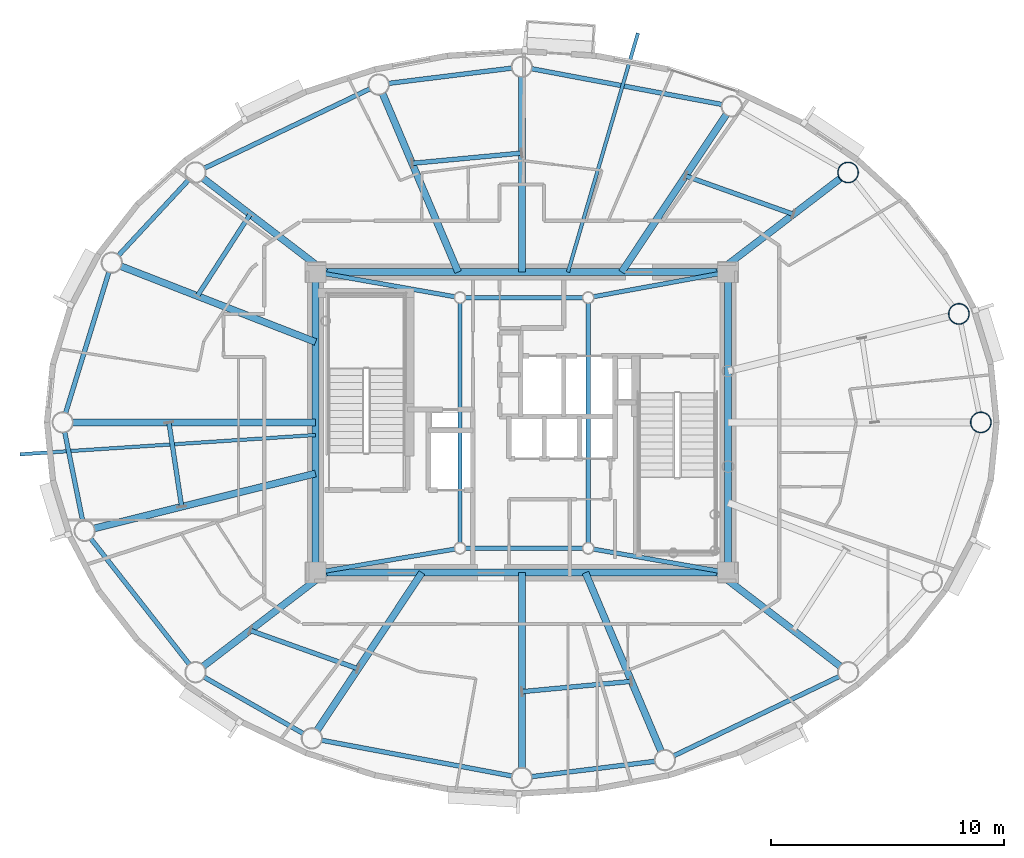
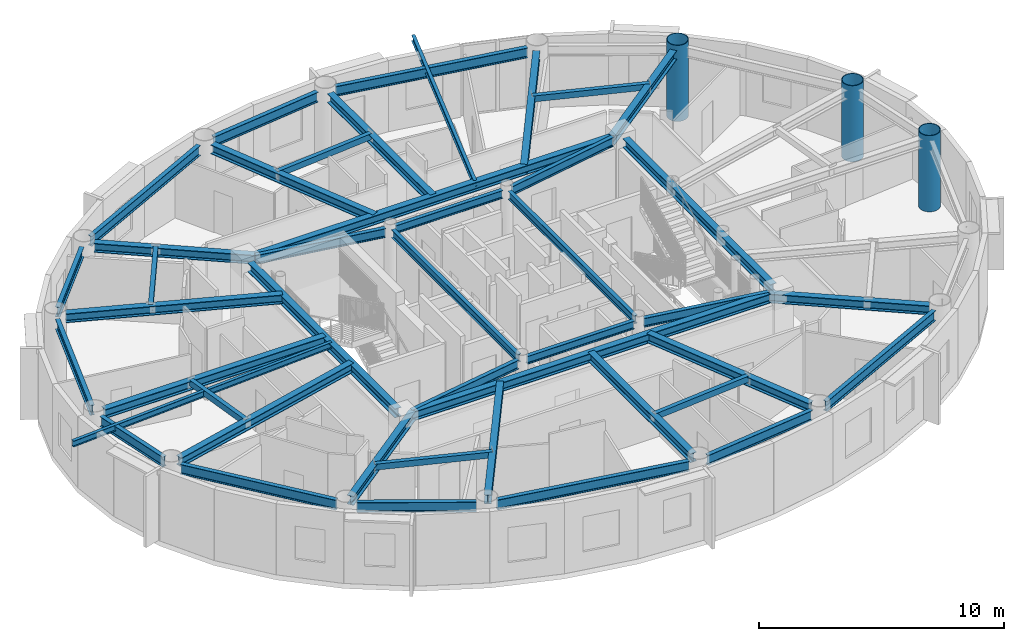
# One storey, part 2 of 17: 44 beams, 3 columns.
"""IFC4 building model written with IfcOpenShell, lengths in metres."""

from ifc_helpers import new_model, si_unit, direction, frame, origin, origin_2d, place, context, subcontext, project, spatial, hollow_rectangle, hollow_circle, i_section, extrude, material, material_profile, profile_set, type_object, element, save


model = new_model("IFC4")

# Units and contexts
model_context = context("Model", 3, precision=1e-05, world=origin(), true_north=direction((0.0, 1.0)))
body_context = subcontext(model_context, "Body", "Model", "MODEL_VIEW")
ifc_project = project(units=[si_unit("LENGTHUNIT", "METRE"), si_unit("AREAUNIT", "SQUARE_METRE"), si_unit("VOLUMEUNIT", "CUBIC_METRE"), si_unit("PLANEANGLEUNIT", "RADIAN"), si_unit("MASSUNIT", "GRAM", prefix="KILO")], contexts=[model_context])

# Site, building, storey
site_placement = place(None, origin())
site = spatial("IfcSite", under=ifc_project, at=site_placement, CompositionType="ELEMENT")
building_placement = place(site_placement, origin())
building = spatial("IfcBuilding", under=site, at=building_placement, Name="Linh Dai School and Residence Tower", CompositionType="ELEMENT")
storey_placement = place(building_placement, frame((0.0, 0.0, 331.60009765625)))
storey = spatial("IfcBuildingStorey", under=building, at=storey_placement, Name="L82", CompositionType="ELEMENT", Elevation=331.60009765625)

# Columns
ifc_material = material(Name="Structural Steel S355JR", Category="steel")
ifc_material_profile_1 = material_profile(ifc_material, hollow_circle(Radius=0.449951171875, WallThickness=0.028076171875, at=origin_2d()), Name="CHS 900x28")
ifc_profile_set_1 = profile_set([ifc_material_profile_1], Name="Structural Steel S355JR")
column_type = type_object("IfcColumnType", Name="COL-MC7", PredefinedType="COLUMN", material=ifc_profile_set_1)
for number, where, z_axis, x_axis, name in (
    (1, (55.699951171875, 27.0, 0.0), (0.0, 0.0, 1.0), (1.0, 0.0, 0.0), "L82 Perimeter CFT Mega-Column MC01"),
    (2, (54.7578125, 31.65478515625, 0.0), (0.0, 0.0, 1.0), (1.0, 0.0, 0.0), "L82 Perimeter CFT Mega-Column MC02"),
    (3, (50.00244140625, 37.72265625, 0.0), (0.0, 0.0, 1.0), (1.0, 0.0, 0.0), "L82 Perimeter CFT Mega-Column MC03"),
):
    element("IfcColumn", number, at=place(storey_placement, frame(where, z_axis=z_axis, x_axis=x_axis)), inside=storey, type_object=column_type, Name=name, PredefinedType="COLUMN", context=body_context, shape_type="SweptSolid", body=[
        extrude(hollow_circle(Radius=0.449951171875, WallThickness=0.028076171875, at=origin_2d()), origin(), (0.0, 0.0, 1.0), 3.7998046875),
    ])

# Beams
ifc_material_profile_2 = material_profile(ifc_material, i_section(OverallWidth=0.14990234375, OverallDepth=0.300048828125, WebThickness=0.007080078125, FlangeThickness=0.0107421875, at=origin_2d()), Name="IPE 300")
ifc_profile_set_2 = profile_set([ifc_material_profile_2], Name="Structural Steel S355JR")
beam_type_1 = type_object("IfcBeamType", Name="BM-BALC-CANT", PredefinedType="BEAM", material=ifc_profile_set_2)
beam_1_placement = place(storey_placement, frame((37.9833984375, 33.449951171875, 3.39990234375), z_axis=(0.280953682983, 0.959721328313, 0.0), x_axis=(-0.959721328313, 0.280953682983, 0.0)))
element("IfcBeam", 4, at=beam_1_placement, inside=storey, type_object=beam_type_1, Name="L83 Balcony Continuous Cantilever Beam 09", PredefinedType="BEAM", context=body_context, shape_type="SweptSolid", body=[
    extrude(i_section(OverallWidth=0.14990234375, OverallDepth=0.300048828125, WebThickness=0.007080078125, FlangeThickness=0.0107421875, at=origin_2d()), origin(), (0.0, 0.0, 1.0), 10.68408203125),
])
beam_2_placement = place(storey_placement, frame((27.14990234375, 26.45654296875, 3.39990234375), z_axis=(-0.997872367571, -0.065197684296, 0.0), x_axis=(0.065197684296, -0.997872367571, 0.0)))
element("IfcBeam", 5, at=beam_2_placement, inside=storey, type_object=beam_type_1, Name="L83 Balcony Continuous Cantilever Beam 21", PredefinedType="BEAM", context=body_context, shape_type="SweptSolid", body=[
    extrude(i_section(OverallWidth=0.14990234375, OverallDepth=0.300048828125, WebThickness=0.007080078125, FlangeThickness=0.0107421875, at=origin_2d()), origin(), (0.0, 0.0, 1.0), 12.70556640625),
])
ifc_material_profile_3 = material_profile(ifc_material, hollow_rectangle(XDim=0.199951171875, YDim=0.300048828125, WallThickness=0.010009765625, at=origin_2d()), Name="RHS 300x200x10")
ifc_profile_set_3 = profile_set([ifc_material_profile_3], Name="Structural Steel S355JR")
beam_type_2 = type_object("IfcBeamType", Name="BM-BX3", PredefinedType="BEAM", material=ifc_profile_set_3)
beam_3_placement = place(storey_placement, frame((47.654296875, 35.929931640625, 3.39990234375), z_axis=(-0.942259700993, 0.334883048069, 0.0), x_axis=(-0.334883048069, -0.942259700993, 0.0)))
element("IfcBeam", 6, at=beam_3_placement, inside=storey, type_object=beam_type_2, Name="L82 Secondary Circumferential Floor Beam 02", PredefinedType="BEAM", context=body_context, shape_type="SweptSolid", body=[
    extrude(hollow_rectangle(XDim=0.199951171875, YDim=0.300048828125, WallThickness=0.010009765625, at=origin_2d()), origin(), (0.0, 0.0, 1.0), 4.9072265625),
])
beam_4_placement = place(storey_placement, frame((35.9951171875, 38.556396484375, 3.39990234375), z_axis=(-0.995632572685, -0.093358343008, 0.0), x_axis=(0.093358343008, -0.995632572685, 0.0)))
element("IfcBeam", 7, at=beam_4_placement, inside=storey, type_object=beam_type_2, Name="L82 Secondary Circumferential Floor Beam 03", PredefinedType="BEAM", context=body_context, shape_type="SweptSolid", body=[
    extrude(hollow_rectangle(XDim=0.199951171875, YDim=0.300048828125, WallThickness=0.010009765625, at=origin_2d()), origin(), (0.0, 0.0, 1.0), 4.717529296875),
])
beam_5_placement = place(storey_placement, frame((24.33837890625, 35.924072265625, 3.39990234375), z_axis=(-0.542324541187, -0.840169085379, 0.0), x_axis=(0.840169085379, -0.542324541187, 0.0)))
element("IfcBeam", 8, at=beam_5_placement, inside=storey, type_object=beam_type_2, Name="L82 Secondary Circumferential Floor Beam 04", PredefinedType="BEAM", context=body_context, shape_type="SweptSolid", body=[
    extrude(hollow_rectangle(XDim=0.199951171875, YDim=0.300048828125, WallThickness=0.010009765625, at=origin_2d()), origin(), (0.0, 0.0, 1.0), 4.163330078125),
])
beam_6_placement = place(storey_placement, frame((20.857666015625, 26.9951171875, 3.39990234375), z_axis=(0.149229268392, -0.988802622092, 0.0), x_axis=(0.988802622092, 0.149229268392, 0.0)))
element("IfcBeam", 9, at=beam_6_placement, inside=storey, type_object=beam_type_2, Name="L82 Secondary Circumferential Floor Beam 05", PredefinedType="BEAM", context=body_context, shape_type="SweptSolid", body=[
    extrude(hollow_rectangle(XDim=0.199951171875, YDim=0.300048828125, WallThickness=0.010009765625, at=origin_2d()), origin(), (0.0, 0.0, 1.0), 3.6533203125),
])
beam_7_placement = place(storey_placement, frame((24.345703125, 18.070068359375, 3.39990234375), z_axis=(0.942259700993, -0.334883048069, 0.0), x_axis=(0.334883048069, 0.942259700993, 0.0)))
element("IfcBeam", 10, at=beam_7_placement, inside=storey, type_object=beam_type_2, Name="L82 Secondary Circumferential Floor Beam 06", PredefinedType="BEAM", context=body_context, shape_type="SweptSolid", body=[
    extrude(hollow_rectangle(XDim=0.199951171875, YDim=0.300048828125, WallThickness=0.010009765625, at=origin_2d()), origin(), (0.0, 0.0, 1.0), 4.9072265625),
])
beam_8_placement = place(storey_placement, frame((36.0048828125, 15.443603515625, 3.39990234375), z_axis=(0.995632572685, 0.093358343008, 0.0), x_axis=(-0.093358343008, 0.995632572685, 0.0)))
element("IfcBeam", 11, at=beam_8_placement, inside=storey, type_object=beam_type_2, Name="L82 Secondary Circumferential Floor Beam 07", PredefinedType="BEAM", context=body_context, shape_type="SweptSolid", body=[
    extrude(hollow_rectangle(XDim=0.199951171875, YDim=0.300048828125, WallThickness=0.010009765625, at=origin_2d()), origin(), (0.0, 0.0, 1.0), 4.717529296875),
])
ifc_material_profile_4 = material_profile(ifc_material, i_section(OverallWidth=0.199951171875, OverallDepth=0.5, WebThickness=0.01025390625, FlangeThickness=0.01611328125, FilletRadius=0.02099609375, at=origin_2d()), Name="IPE 500")
ifc_profile_set_4 = profile_set([ifc_material_profile_4], Name="Structural Steel S355JR")
beam_type_3 = type_object("IfcBeamType", Name="BM-RB50", PredefinedType="BEAM", material=ifc_profile_set_4)
beam_9_placement = place(storey_placement, frame((44.597412109375, 40.6396484375, 3.2998046875), z_axis=(-0.98280175603, 0.184663771066, 0.0), x_axis=(-0.184663771066, -0.98280175603, 0.0)))
element("IfcBeam", 12, at=beam_9_placement, inside=storey, type_object=beam_type_3, Name="L82 Perimeter Elliptical Ring Beam 04", PredefinedType="BEAM", context=body_context, shape_type="SweptSolid", body=[
    extrude(i_section(OverallWidth=0.199951171875, OverallDepth=0.5, WebThickness=0.01025390625, FlangeThickness=0.01611328125, FilletRadius=0.02099609375, at=origin_2d()), origin(), (0.0, 0.0, 1.0), 8.327880859375),
])
beam_10_placement = place(storey_placement, frame((35.583251953125, 42.203369140625, 3.2998046875), z_axis=(-0.992398979221, -0.123062041428, 0.0), x_axis=(0.123062041428, -0.992398979221, 0.0)))
element("IfcBeam", 13, at=beam_10_placement, inside=storey, type_object=beam_type_3, Name="L82 Perimeter Elliptical Ring Beam 05", PredefinedType="BEAM", context=body_context, shape_type="SweptSolid", body=[
    extrude(i_section(OverallWidth=0.199951171875, OverallDepth=0.5, WebThickness=0.01025390625, FlangeThickness=0.01611328125, FilletRadius=0.02099609375, at=origin_2d()), origin(), (0.0, 0.0, 1.0), 5.344482421875),
])
beam_11_placement = place(storey_placement, frame((29.483642578125, 41.312255859375, 3.2998046875), z_axis=(-0.901701330417, -0.432359469335, 0.0), x_axis=(0.432359469335, -0.901701330417, 0.0)))
element("IfcBeam", 14, at=beam_11_placement, inside=storey, type_object=beam_type_3, Name="L82 Perimeter Elliptical Ring Beam 06", PredefinedType="BEAM", context=body_context, shape_type="SweptSolid", body=[
    extrude(i_section(OverallWidth=0.199951171875, OverallDepth=0.5, WebThickness=0.01025390625, FlangeThickness=0.01611328125, FilletRadius=0.02099609375, at=origin_2d()), origin(), (0.0, 0.0, 1.0), 7.88232421875),
])
beam_12_placement = place(storey_placement, frame((21.7119140625, 37.4150390625, 3.2998046875), z_axis=(-0.680339330162, -0.732897261446, 0.0), x_axis=(0.732897261446, -0.680339330162, 0.0)))
element("IfcBeam", 15, at=beam_12_placement, inside=storey, type_object=beam_type_3, Name="L82 Perimeter Elliptical Ring Beam 07", PredefinedType="BEAM", context=body_context, shape_type="SweptSolid", body=[
    extrude(i_section(OverallWidth=0.199951171875, OverallDepth=0.5, WebThickness=0.01025390625, FlangeThickness=0.01611328125, FilletRadius=0.02099609375, at=origin_2d()), origin(), (0.0, 0.0, 1.0), 4.440673828125),
])
beam_13_placement = place(storey_placement, frame((18.281494140625, 33.451171875, 3.2998046875), z_axis=(-0.293606003102, -0.955926521728, 0.0), x_axis=(0.955926521728, -0.293606003102, 0.0)))
element("IfcBeam", 16, at=beam_13_placement, inside=storey, type_object=beam_type_3, Name="L82 Perimeter Elliptical Ring Beam 08", PredefinedType="BEAM", context=body_context, shape_type="SweptSolid", body=[
    extrude(i_section(OverallWidth=0.199951171875, OverallDepth=0.5, WebThickness=0.01025390625, FlangeThickness=0.01611328125, FilletRadius=0.02099609375, at=origin_2d()), origin(), (0.0, 0.0, 1.0), 6.32861328125),
])
beam_14_placement = place(storey_placement, frame((16.38330078125, 26.58837890625, 3.2998046875), z_axis=(0.198409502721, -0.980119211744, 0.0), x_axis=(0.980119211744, 0.198409502721, 0.0)))
element("IfcBeam", 17, at=beam_14_placement, inside=storey, type_object=beam_type_3, Name="L82 Perimeter Elliptical Ring Beam 09", PredefinedType="BEAM", context=body_context, shape_type="SweptSolid", body=[
    extrude(i_section(OverallWidth=0.199951171875, OverallDepth=0.5, WebThickness=0.01025390625, FlangeThickness=0.01611328125, FilletRadius=0.02099609375, at=origin_2d()), origin(), (0.0, 0.0, 1.0), 3.9091796875),
])
beam_15_placement = place(storey_placement, frame((17.501220703125, 22.0146484375, 3.2998046875), z_axis=(0.616844770958, -0.787084829318, 0.0), x_axis=(0.787084829318, 0.616844770958, 0.0)))
element("IfcBeam", 18, at=beam_15_placement, inside=storey, type_object=beam_type_3, Name="L82 Perimeter Elliptical Ring Beam 10", PredefinedType="BEAM", context=body_context, shape_type="SweptSolid", body=[
    extrude(i_section(OverallWidth=0.199951171875, OverallDepth=0.5, WebThickness=0.01025390625, FlangeThickness=0.01611328125, FilletRadius=0.02099609375, at=origin_2d()), origin(), (0.0, 0.0, 1.0), 6.869384765625),
])
beam_16_placement = place(storey_placement, frame((22.362548828125, 16.069580078125, 3.2998046875), z_axis=(0.86923725405, -0.494395182189, 0.0), x_axis=(0.494395182189, 0.86923725405, 0.0)))
element("IfcBeam", 19, at=beam_16_placement, inside=storey, type_object=beam_type_3, Name="L82 Perimeter Elliptical Ring Beam 11", PredefinedType="BEAM", context=body_context, shape_type="SweptSolid", body=[
    extrude(i_section(OverallWidth=0.199951171875, OverallDepth=0.5, WebThickness=0.01025390625, FlangeThickness=0.01611328125, FilletRadius=0.02099609375, at=origin_2d()), origin(), (0.0, 0.0, 1.0), 4.903076171875),
])
beam_17_placement = place(storey_placement, frame((27.402587890625, 13.3603515625, 3.2998046875), z_axis=(0.98280175603, -0.184663771066, 0.0), x_axis=(0.184663771066, 0.98280175603, 0.0)))
element("IfcBeam", 20, at=beam_17_placement, inside=storey, type_object=beam_type_3, Name="L82 Perimeter Elliptical Ring Beam 12", PredefinedType="BEAM", context=body_context, shape_type="SweptSolid", body=[
    extrude(i_section(OverallWidth=0.199951171875, OverallDepth=0.5, WebThickness=0.01025390625, FlangeThickness=0.01611328125, FilletRadius=0.02099609375, at=origin_2d()), origin(), (0.0, 0.0, 1.0), 8.327880859375),
])
beam_18_placement = place(storey_placement, frame((36.416748046875, 11.796630859375, 3.2998046875), z_axis=(0.992398979221, 0.123062041428, 0.0), x_axis=(-0.123062041428, 0.992398979221, 0.0)))
element("IfcBeam", 21, at=beam_18_placement, inside=storey, type_object=beam_type_3, Name="L82 Perimeter Elliptical Ring Beam 13", PredefinedType="BEAM", context=body_context, shape_type="SweptSolid", body=[
    extrude(i_section(OverallWidth=0.199951171875, OverallDepth=0.5, WebThickness=0.01025390625, FlangeThickness=0.01611328125, FilletRadius=0.02099609375, at=origin_2d()), origin(), (0.0, 0.0, 1.0), 5.344482421875),
])
beam_19_placement = place(storey_placement, frame((42.516357421875, 12.687744140625, 3.2998046875), z_axis=(0.901701330417, 0.432359469335, 0.0), x_axis=(-0.432359469335, 0.901701330417, 0.0)))
element("IfcBeam", 22, at=beam_19_placement, inside=storey, type_object=beam_type_3, Name="L82 Perimeter Elliptical Ring Beam 14", PredefinedType="BEAM", context=body_context, shape_type="SweptSolid", body=[
    extrude(i_section(OverallWidth=0.199951171875, OverallDepth=0.5, WebThickness=0.01025390625, FlangeThickness=0.01611328125, FilletRadius=0.02099609375, at=origin_2d()), origin(), (0.0, 0.0, 1.0), 7.88232421875),
])
ifc_material_profile_5 = material_profile(ifc_material, i_section(OverallWidth=0.300048828125, OverallDepth=0.449951171875, WebThickness=0.013916015625, FlangeThickness=0.02587890625, FilletRadius=0.027099609375, at=origin_2d()), Name="HEB 450")
ifc_profile_set_5 = profile_set([ifc_material_profile_5], Name="Structural Steel S355JR")
beam_type_4 = type_object("IfcBeamType", Name="BM-RG45", PredefinedType="BEAM", material=ifc_profile_set_5)
beam_20_placement = place(storey_placement, frame((27.570068359375, 20.550048828125, 3.324951171875), z_axis=(1.0, 0.0, 0.0), x_axis=(0.0, 1.0, 0.0)))
element("IfcBeam", 23, at=beam_20_placement, inside=storey, type_object=beam_type_4, Name="L82 Core Perimeter Coupling Girder 1", PredefinedType="BEAM", context=body_context, shape_type="SweptSolid", body=[
    extrude(i_section(OverallWidth=0.300048828125, OverallDepth=0.449951171875, WebThickness=0.013916015625, FlangeThickness=0.02587890625, FilletRadius=0.027099609375, at=origin_2d()), origin(), (0.0, 0.0, 1.0), 16.85986328125),
])
beam_21_placement = place(storey_placement, frame((44.85009765625, 20.969970703125, 3.324951171875), z_axis=(0.0, 1.0, 0.0), x_axis=(-1.0, 0.0, 0.0)))
element("IfcBeam", 24, at=beam_21_placement, inside=storey, type_object=beam_type_4, Name="L82 Core Perimeter Coupling Girder 2", PredefinedType="BEAM", context=body_context, shape_type="SweptSolid", body=[
    extrude(i_section(OverallWidth=0.300048828125, OverallDepth=0.449951171875, WebThickness=0.013916015625, FlangeThickness=0.02587890625, FilletRadius=0.027099609375, at=origin_2d()), origin(), (0.0, 0.0, 1.0), 12.06005859375),
])
beam_22_placement = place(storey_placement, frame((44.429931640625, 33.449951171875, 3.324951171875), z_axis=(-1.0, 0.0, 0.0), x_axis=(0.0, -1.0, 0.0)))
element("IfcBeam", 25, at=beam_22_placement, inside=storey, type_object=beam_type_4, Name="L82 Core Perimeter Coupling Girder 3", PredefinedType="BEAM", context=body_context, shape_type="SweptSolid", body=[
    extrude(i_section(OverallWidth=0.300048828125, OverallDepth=0.449951171875, WebThickness=0.013916015625, FlangeThickness=0.02587890625, FilletRadius=0.027099609375, at=origin_2d()), origin(), (0.0, 0.0, 1.0), 16.85986328125),
])
beam_23_placement = place(storey_placement, frame((27.14990234375, 33.030029296875, 3.324951171875), z_axis=(0.0, -1.0, 0.0), x_axis=(1.0, 0.0, 0.0)))
element("IfcBeam", 26, at=beam_23_placement, inside=storey, type_object=beam_type_4, Name="L82 Core Perimeter Coupling Girder 4", PredefinedType="BEAM", context=body_context, shape_type="SweptSolid", body=[
    extrude(i_section(OverallWidth=0.300048828125, OverallDepth=0.449951171875, WebThickness=0.013916015625, FlangeThickness=0.02587890625, FilletRadius=0.027099609375, at=origin_2d()), origin(), (0.0, 0.0, 1.0), 12.06005859375),
])
beam_24_placement = place(storey_placement, frame((44.4228515625, 33.449951171875, 3.324951171875), z_axis=(0.793929753809, 0.608009495006, 0.0), x_axis=(-0.608009495006, 0.793929753809, 0.0)))
element("IfcBeam", 27, at=beam_24_placement, inside=storey, type_object=beam_type_4, Name="L82 Primary Radial Floor Girder 03", PredefinedType="BEAM", context=body_context, shape_type="SweptSolid", body=[
    extrude(i_section(OverallWidth=0.300048828125, OverallDepth=0.449951171875, WebThickness=0.013916015625, FlangeThickness=0.02587890625, FilletRadius=0.027099609375, at=origin_2d()), origin(), (0.0, 0.0, 1.0), 6.607666015625),
])
beam_25_placement = place(storey_placement, frame((40.28515625, 33.449951171875, 3.324951171875), z_axis=(0.553380967678, 0.832928270989, 0.0), x_axis=(-0.832928270989, 0.553380967678, 0.0)))
element("IfcBeam", 28, at=beam_25_placement, inside=storey, type_object=beam_type_4, Name="L82 Primary Radial Floor Girder 04", PredefinedType="BEAM", context=body_context, shape_type="SweptSolid", body=[
    extrude(i_section(OverallWidth=0.300048828125, OverallDepth=0.449951171875, WebThickness=0.013916015625, FlangeThickness=0.02587890625, FilletRadius=0.027099609375, at=origin_2d()), origin(), (0.0, 0.0, 1.0), 8.11865234375),
])
beam_26_placement = place(storey_placement, frame((36.0, 33.449951171875, 3.324951171875), z_axis=(0.0, 1.0, 0.0), x_axis=(-1.0, 0.0, 0.0)))
element("IfcBeam", 29, at=beam_26_placement, inside=storey, type_object=beam_type_4, Name="L82 Primary Radial Floor Girder 05", PredefinedType="BEAM", context=body_context, shape_type="SweptSolid", body=[
    extrude(i_section(OverallWidth=0.300048828125, OverallDepth=0.449951171875, WebThickness=0.013916015625, FlangeThickness=0.02587890625, FilletRadius=0.027099609375, at=origin_2d()), origin(), (0.0, 0.0, 1.0), 8.385009765625),
])
beam_27_placement = place(storey_placement, frame((33.268798828125, 33.449951171875, 3.324951171875), z_axis=(-0.389954119501, 0.920834287309, 0.0), x_axis=(-0.920834287309, -0.389954119501, 0.0)))
element("IfcBeam", 30, at=beam_27_placement, inside=storey, type_object=beam_type_4, Name="L82 Primary Radial Floor Girder 06", PredefinedType="BEAM", context=body_context, shape_type="SweptSolid", body=[
    extrude(i_section(OverallWidth=0.300048828125, OverallDepth=0.449951171875, WebThickness=0.013916015625, FlangeThickness=0.02587890625, FilletRadius=0.027099609375, at=origin_2d()), origin(), (0.0, 0.0, 1.0), 8.3154296875),
])
beam_28_placement = place(storey_placement, frame((27.5771484375, 33.449951171875, 3.324951171875), z_axis=(-0.793929753809, 0.608009495006, 0.0), x_axis=(-0.608009495006, -0.793929753809, 0.0)))
element("IfcBeam", 31, at=beam_28_placement, inside=storey, type_object=beam_type_4, Name="L82 Primary Radial Floor Girder 07", PredefinedType="BEAM", context=body_context, shape_type="SweptSolid", body=[
    extrude(i_section(OverallWidth=0.300048828125, OverallDepth=0.449951171875, WebThickness=0.013916015625, FlangeThickness=0.02587890625, FilletRadius=0.027099609375, at=origin_2d()), origin(), (0.0, 0.0, 1.0), 6.607666015625),
])
beam_29_placement = place(storey_placement, frame((27.14990234375, 30.44677734375, 3.324951171875), z_axis=(-0.931822607816, 0.362914077384, 0.0), x_axis=(-0.362914077384, -0.931822607816, 0.0)))
element("IfcBeam", 32, at=beam_29_placement, inside=storey, type_object=beam_type_4, Name="L82 Primary Radial Floor Girder 08", PredefinedType="BEAM", context=body_context, shape_type="SweptSolid", body=[
    extrude(i_section(OverallWidth=0.300048828125, OverallDepth=0.449951171875, WebThickness=0.013916015625, FlangeThickness=0.02587890625, FilletRadius=0.027099609375, at=origin_2d()), origin(), (0.0, 0.0, 1.0), 8.964599609375),
])
beam_30_placement = place(storey_placement, frame((27.14990234375, 27.0, 3.324951171875), z_axis=(-1.0, 0.0, 0.0), x_axis=(0.0, -1.0, 0.0)))
element("IfcBeam", 33, at=beam_30_placement, inside=storey, type_object=beam_type_4, Name="L82 Primary Radial Floor Girder 09", PredefinedType="BEAM", context=body_context, shape_type="SweptSolid", body=[
    extrude(i_section(OverallWidth=0.300048828125, OverallDepth=0.449951171875, WebThickness=0.013916015625, FlangeThickness=0.02587890625, FilletRadius=0.027099609375, at=origin_2d()), origin(), (0.0, 0.0, 1.0), 10.429931640625),
])
beam_31_placement = place(storey_placement, frame((27.14990234375, 24.803955078125, 3.324951171875), z_axis=(-0.970563583495, -0.24084503398, 0.0), x_axis=(0.24084503398, -0.970563583495, 0.0)))
element("IfcBeam", 34, at=beam_31_placement, inside=storey, type_object=beam_type_4, Name="L82 Primary Radial Floor Girder 10", PredefinedType="BEAM", context=body_context, shape_type="SweptSolid", body=[
    extrude(i_section(OverallWidth=0.300048828125, OverallDepth=0.449951171875, WebThickness=0.013916015625, FlangeThickness=0.02587890625, FilletRadius=0.027099609375, at=origin_2d()), origin(), (0.0, 0.0, 1.0), 9.7880859375),
])
beam_32_placement = place(storey_placement, frame((27.5771484375, 20.550048828125, 3.324951171875), z_axis=(-0.793929753809, -0.608009495006, 0.0), x_axis=(0.608009495006, -0.793929753809, 0.0)))
element("IfcBeam", 35, at=beam_32_placement, inside=storey, type_object=beam_type_4, Name="L82 Primary Radial Floor Girder 11", PredefinedType="BEAM", context=body_context, shape_type="SweptSolid", body=[
    extrude(i_section(OverallWidth=0.300048828125, OverallDepth=0.449951171875, WebThickness=0.013916015625, FlangeThickness=0.02587890625, FilletRadius=0.027099609375, at=origin_2d()), origin(), (0.0, 0.0, 1.0), 6.607666015625),
])
beam_33_placement = place(storey_placement, frame((31.71484375, 20.550048828125, 3.324951171875), z_axis=(-0.553380967678, -0.832928270989, 0.0), x_axis=(0.832928270989, -0.553380967678, 0.0)))
element("IfcBeam", 36, at=beam_33_placement, inside=storey, type_object=beam_type_4, Name="L82 Primary Radial Floor Girder 12", PredefinedType="BEAM", context=body_context, shape_type="SweptSolid", body=[
    extrude(i_section(OverallWidth=0.300048828125, OverallDepth=0.449951171875, WebThickness=0.013916015625, FlangeThickness=0.02587890625, FilletRadius=0.027099609375, at=origin_2d()), origin(), (0.0, 0.0, 1.0), 8.11865234375),
])
beam_34_placement = place(storey_placement, frame((36.0, 20.550048828125, 3.324951171875), z_axis=(0.0, -1.0, 0.0), x_axis=(1.0, 0.0, 0.0)))
element("IfcBeam", 37, at=beam_34_placement, inside=storey, type_object=beam_type_4, Name="L82 Primary Radial Floor Girder 13", PredefinedType="BEAM", context=body_context, shape_type="SweptSolid", body=[
    extrude(i_section(OverallWidth=0.300048828125, OverallDepth=0.449951171875, WebThickness=0.013916015625, FlangeThickness=0.02587890625, FilletRadius=0.027099609375, at=origin_2d()), origin(), (0.0, 0.0, 1.0), 8.385009765625),
])
beam_35_placement = place(storey_placement, frame((38.731201171875, 20.550048828125, 3.324951171875), z_axis=(0.389954119501, -0.920834287309, 0.0), x_axis=(0.920834287309, 0.389954119501, 0.0)))
element("IfcBeam", 38, at=beam_35_placement, inside=storey, type_object=beam_type_4, Name="L82 Primary Radial Floor Girder 14", PredefinedType="BEAM", context=body_context, shape_type="SweptSolid", body=[
    extrude(i_section(OverallWidth=0.300048828125, OverallDepth=0.449951171875, WebThickness=0.013916015625, FlangeThickness=0.02587890625, FilletRadius=0.027099609375, at=origin_2d()), origin(), (0.0, 0.0, 1.0), 8.3154296875),
])
beam_36_placement = place(storey_placement, frame((44.4228515625, 20.550048828125, 3.324951171875), z_axis=(0.793929753809, -0.608009495006, 0.0), x_axis=(0.608009495006, 0.793929753809, 0.0)))
element("IfcBeam", 39, at=beam_36_placement, inside=storey, type_object=beam_type_4, Name="L82 Primary Radial Floor Girder 15", PredefinedType="BEAM", context=body_context, shape_type="SweptSolid", body=[
    extrude(i_section(OverallWidth=0.300048828125, OverallDepth=0.449951171875, WebThickness=0.013916015625, FlangeThickness=0.02587890625, FilletRadius=0.027099609375, at=origin_2d()), origin(), (0.0, 0.0, 1.0), 6.607666015625),
])
ifc_material_profile_6 = material_profile(ifc_material, i_section(OverallWidth=0.179931640625, OverallDepth=0.39990234375, WebThickness=0.008544921875, FlangeThickness=0.013427734375, FilletRadius=0.02099609375, at=origin_2d()), Name="IPE 400")
ifc_profile_set_6 = profile_set([ifc_material_profile_6], Name="Structural Steel S355JR")
beam_type_5 = type_object("IfcBeamType", Name="BM-SB40", PredefinedType="BEAM", material=ifc_profile_set_6)
beam_37_placement = place(storey_placement, frame((33.573974609375, 21.60009765625, 3.349853515625), z_axis=(1.0, 0.0, 0.0), x_axis=(0.0, 1.0, 0.0)))
element("IfcBeam", 40, at=beam_37_placement, inside=storey, type_object=beam_type_5, Name="L82 Core Mast Pier Tie Beam 1", PredefinedType="BEAM", context=body_context, shape_type="SweptSolid", body=[
    extrude(i_section(OverallWidth=0.179931640625, OverallDepth=0.39990234375, WebThickness=0.008544921875, FlangeThickness=0.013427734375, FilletRadius=0.02099609375, at=origin_2d()), origin(), (0.0, 0.0, 1.0), 5.052001953125),
])
beam_38_placement = place(storey_placement, frame((38.85009765625, 21.823974609375, 3.349853515625), z_axis=(0.0, 1.0, 0.0), x_axis=(-1.0, 0.0, 0.0)))
element("IfcBeam", 41, at=beam_38_placement, inside=storey, type_object=beam_type_5, Name="L82 Core Mast Pier Tie Beam 2", PredefinedType="BEAM", context=body_context, shape_type="SweptSolid", body=[
    extrude(i_section(OverallWidth=0.179931640625, OverallDepth=0.39990234375, WebThickness=0.008544921875, FlangeThickness=0.013427734375, FilletRadius=0.02099609375, at=origin_2d()), origin(), (0.0, 0.0, 1.0), 10.302001953125),
])
beam_39_placement = place(storey_placement, frame((38.6259765625, 32.35009765625, 3.349853515625), z_axis=(-1.0, 0.0, 0.0), x_axis=(0.0, -1.0, 0.0)))
element("IfcBeam", 42, at=beam_39_placement, inside=storey, type_object=beam_type_5, Name="L82 Core Mast Pier Tie Beam 3", PredefinedType="BEAM", context=body_context, shape_type="SweptSolid", body=[
    extrude(i_section(OverallWidth=0.179931640625, OverallDepth=0.39990234375, WebThickness=0.008544921875, FlangeThickness=0.013427734375, FilletRadius=0.02099609375, at=origin_2d()), origin(), (0.0, 0.0, 1.0), 5.052001953125),
])
beam_40_placement = place(storey_placement, frame((33.35009765625, 32.1259765625, 3.349853515625), z_axis=(0.0, -1.0, 0.0), x_axis=(1.0, 0.0, 0.0)))
element("IfcBeam", 43, at=beam_40_placement, inside=storey, type_object=beam_type_5, Name="L82 Core Mast Pier Tie Beam 4", PredefinedType="BEAM", context=body_context, shape_type="SweptSolid", body=[
    extrude(i_section(OverallWidth=0.179931640625, OverallDepth=0.39990234375, WebThickness=0.008544921875, FlangeThickness=0.013427734375, FilletRadius=0.02099609375, at=origin_2d()), origin(), (0.0, 0.0, 1.0), 10.302001953125),
])
ifc_material_profile_7 = material_profile(ifc_material, i_section(OverallWidth=0.18994140625, OverallDepth=0.449951171875, WebThickness=0.009521484375, FlangeThickness=0.0146484375, FilletRadius=0.02099609375, at=origin_2d()), Name="IPE 450")
ifc_profile_set_7 = profile_set([ifc_material_profile_7], Name="Structural Steel S355JR")
beam_type_6 = type_object("IfcBeamType", Name="BM-SB45", PredefinedType="BEAM", material=ifc_profile_set_7)
beam_41_placement = place(storey_placement, frame((27.564208984375, 20.6201171875, 3.324951171875), z_axis=(0.98596270559, 0.166965694638, 0.0), x_axis=(-0.166965694638, 0.98596270559, 0.0)))
element("IfcBeam", 44, at=beam_41_placement, inside=storey, type_object=beam_type_6, Name="L82 Core Corner-to-Mast Pier Beam 1", PredefinedType="BEAM", context=body_context, shape_type="SweptSolid", body=[
    extrude(i_section(OverallWidth=0.18994140625, OverallDepth=0.449951171875, WebThickness=0.009521484375, FlangeThickness=0.0146484375, FilletRadius=0.02099609375, at=origin_2d()), origin(), (0.0, 0.0, 1.0), 5.644287109375),
])
beam_42_placement = place(storey_placement, frame((44.436279296875, 20.622314453125, 3.324951171875), z_axis=(-0.985031608673, 0.17237380867, 0.0), x_axis=(-0.17237380867, -0.985031608673, 0.0)))
element("IfcBeam", 45, at=beam_42_placement, inside=storey, type_object=beam_type_6, Name="L82 Core Corner-to-Mast Pier Beam 2", PredefinedType="BEAM", context=body_context, shape_type="SweptSolid", body=[
    extrude(i_section(OverallWidth=0.18994140625, OverallDepth=0.449951171875, WebThickness=0.009521484375, FlangeThickness=0.0146484375, FilletRadius=0.02099609375, at=origin_2d()), origin(), (0.0, 0.0, 1.0), 5.447265625),
])
beam_43_placement = place(storey_placement, frame((44.436767578125, 33.374267578125, 3.324951171875), z_axis=(-0.983605366802, -0.180334362777, 0.0), x_axis=(0.180334362777, -0.983605366802, 0.0)))
element("IfcBeam", 46, at=beam_43_placement, inside=storey, type_object=beam_type_6, Name="L82 Core Corner-to-Mast Pier Beam 3", PredefinedType="BEAM", context=body_context, shape_type="SweptSolid", body=[
    extrude(i_section(OverallWidth=0.18994140625, OverallDepth=0.449951171875, WebThickness=0.009521484375, FlangeThickness=0.0146484375, FilletRadius=0.02099609375, at=origin_2d()), origin(), (0.0, 0.0, 1.0), 5.455810546875),
])
beam_44_placement = place(storey_placement, frame((27.5634765625, 33.376708984375, 3.324951171875), z_axis=(0.984621828197, -0.174699328672, 0.0), x_axis=(0.174699328672, 0.984621828197, 0.0)))
element("IfcBeam", 47, at=beam_44_placement, inside=storey, type_object=beam_type_6, Name="L82 Core Corner-to-Mast Pier Beam 4", PredefinedType="BEAM", context=body_context, shape_type="SweptSolid", body=[
    extrude(i_section(OverallWidth=0.18994140625, OverallDepth=0.449951171875, WebThickness=0.009521484375, FlangeThickness=0.0146484375, FilletRadius=0.02099609375, at=origin_2d()), origin(), (0.0, 0.0, 1.0), 5.65283203125),
])

save(model, "model.ifc")
